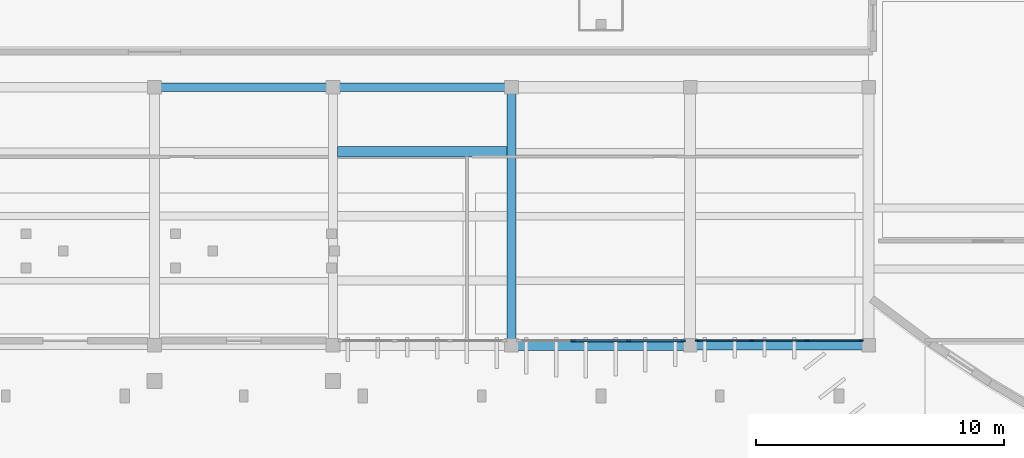
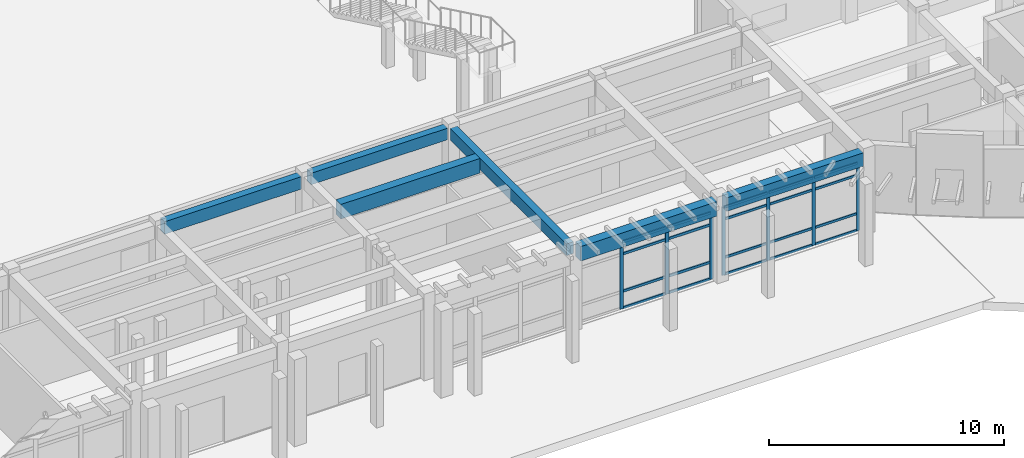
# One storey, part 13 of 58: 27 members, 6 beams, 2 elements without a shape of their own.
"""IFC4 building model written with IfcOpenShell, lengths in metres."""

from ifc_helpers import new_model, si_unit, direction, frame, origin, origin_2d, place, context, subcontext, project, spatial, rectangle, extrude, material, layer, layer_set, material_profile, profile_set, type_object, element, aggregate, save


model = new_model("IFC4")

# Units and contexts
model_context = context("Model", 3, precision=1e-05, world=origin(), true_north=direction((0.0, 1.0)))
body_context = subcontext(model_context, "Body", "Model", "MODEL_VIEW")
ifc_project = project(units=[si_unit("LENGTHUNIT", "METRE"), si_unit("AREAUNIT", "SQUARE_METRE"), si_unit("VOLUMEUNIT", "CUBIC_METRE"), si_unit("PLANEANGLEUNIT", "RADIAN"), si_unit("MASSUNIT", "GRAM", prefix="KILO")], contexts=[model_context])

# Site, building, storey
site_placement = place(None, origin())
site = spatial("IfcSite", under=ifc_project, at=site_placement, CompositionType="ELEMENT")
building_placement = place(site_placement, origin())
building = spatial("IfcBuilding", under=site, at=building_placement, Name="Brisavento Harbour Community Centre", CompositionType="ELEMENT")
storey_placement = place(building_placement, origin())
storey = spatial("IfcBuildingStorey", under=building, at=storey_placement, Name="L00", CompositionType="ELEMENT", Elevation=0.0)

# Beams
ifc_material_1 = material(Name="Concrete C35/45", Category="concrete")
ifc_material_profile_1 = material_profile(ifc_material_1, rectangle(XDim=0.419921875, YDim=0.760009765625, at=origin_2d()), Name="Concrete C35/45")
ifc_profile_set_1 = profile_set([ifc_material_profile_1], Name="Concrete C35/45")
beam_type_1 = type_object("IfcBeamType", Name="BM-JST-420x760", PredefinedType="JOIST", material=ifc_profile_set_1)
beam_1_placement = place(storey_placement, frame((86.574951171875, 22.199951171875, 3.860107421875), z_axis=(1.0, 0.0, 0.0), x_axis=(0.0, 1.0, 0.0)))
element("IfcBeam", 1, at=beam_1_placement, inside=storey, type_object=beam_type_1, Name="L00 secondary floor joist 0175", PredefinedType="JOIST", context=body_context, shape_type="SweptSolid", body=[
    extrude(rectangle(XDim=0.419921875, YDim=0.760009765625, at=origin_2d()), origin(), (0.0, 0.0, 1.0), 6.85009765625),
])
ifc_material_profile_2 = material_profile(ifc_material_1, rectangle(XDim=0.35009765625, YDim=0.60009765625, at=origin_2d()), Name="Concrete C35/45")
ifc_profile_set_2 = profile_set([ifc_material_profile_2], Name="Concrete C35/45")
beam_type_2 = type_object("IfcBeamType", Name="BM-RC-350x600", PredefinedType="BEAM", material=ifc_profile_set_2)
beam_2_placement = place(storey_placement, frame((86.64501953125, 24.800048828125, 3.93994140625), z_axis=(1.0, 0.0, 0.0), x_axis=(0.0, 1.0, 0.0)))
element("IfcBeam", 2, at=beam_2_placement, inside=storey, type_object=beam_type_2, Name="L00 primary girder X0264", PredefinedType="BEAM", context=body_context, shape_type="SweptSolid", body=[
    extrude(rectangle(XDim=0.35009765625, YDim=0.60009765625, at=origin_2d()), origin(), (0.0, 0.0, 1.0), 6.7099609375),
])
beam_3_placement = place(storey_placement, frame((93.60009765625, 14.64501953125, 3.93994140625), z_axis=(0.0, 1.0, 0.0), x_axis=(-1.0, 0.0, 0.0)))
element("IfcBeam", 3, at=beam_3_placement, inside=storey, type_object=beam_type_2, Name="L00 primary girder Y0359", PredefinedType="BEAM", context=body_context, shape_type="SweptSolid", body=[
    extrude(rectangle(XDim=0.35009765625, YDim=0.60009765625, at=origin_2d()), origin(), (0.0, 0.0, 1.0), 9.909912109375),
])
ifc_material_profile_3 = material_profile(ifc_material_1, rectangle(XDim=0.35009765625, YDim=0.64990234375, at=origin_2d()), Name="Concrete C35/45")
ifc_profile_set_3 = profile_set([ifc_material_profile_3], Name="Concrete C35/45")
beam_type_3 = type_object("IfcBeamType", Name="BM-RC-350x650", PredefinedType="BEAM", material=ifc_profile_set_3)
beam_4_placement = place(storey_placement, frame((79.445068359375, 24.800048828125, 3.9150390625), z_axis=(1.0, 0.0, 0.0), x_axis=(0.0, 1.0, 0.0)))
element("IfcBeam", 4, at=beam_4_placement, inside=storey, type_object=beam_type_3, Name="L00 primary girder X0263", PredefinedType="BEAM", context=body_context, shape_type="SweptSolid", body=[
    extrude(rectangle(XDim=0.35009765625, YDim=0.64990234375, at=origin_2d()), origin(), (0.0, 0.0, 1.0), 6.7099609375),
])
ifc_material_profile_4 = material_profile(ifc_material_1, rectangle(XDim=0.39990234375, YDim=0.699951171875, at=origin_2d()), Name="Concrete C35/45")
ifc_profile_set_4 = profile_set([ifc_material_profile_4], Name="Concrete C35/45")
beam_type_4 = type_object("IfcBeamType", Name="BM-RC-400x700", PredefinedType="BEAM", material=ifc_profile_set_4)
beam_5_placement = place(storey_placement, frame((101.044921875, 14.39990234375, 3.889892578125), z_axis=(1.0, 0.0, 0.0), x_axis=(0.0, 1.0, 0.0)))
element("IfcBeam", 5, at=beam_5_placement, inside=storey, type_object=beam_type_4, Name="L00 primary girder X0242", PredefinedType="BEAM", context=body_context, shape_type="SweptSolid", body=[
    extrude(rectangle(XDim=0.39990234375, YDim=0.699951171875, at=origin_2d()), origin(), (0.0, 0.0, 1.0), 6.7099609375),
])
ifc_material_profile_5 = material_profile(ifc_material_1, rectangle(XDim=0.449951171875, YDim=0.75, at=origin_2d()), Name="Concrete C35/45")
ifc_profile_set_5 = profile_set([ifc_material_profile_5], Name="Concrete C35/45")
beam_type_5 = type_object("IfcBeamType", Name="BM-RC-450x750", PredefinedType="BEAM", material=ifc_profile_set_5)
beam_6_placement = place(storey_placement, frame((93.844970703125, 14.39990234375, 3.864990234375), z_axis=(1.0, 0.0, 0.0), x_axis=(0.0, 1.0, 0.0)))
element("IfcBeam", 6, at=beam_6_placement, inside=storey, type_object=beam_type_5, Name="L00 primary girder X0241", PredefinedType="BEAM", context=body_context, shape_type="SweptSolid", body=[
    extrude(rectangle(XDim=0.449951171875, YDim=0.75, at=origin_2d()), origin(), (0.0, 0.0, 1.0), 6.7099609375),
])

# Curtain wall, members
ifc_material_2 = material(Name="Marine-anodised aluminium AW-6063-T6", Category="aluminium")
ifc_layer_1 = layer(ifc_material_2, 0.179931640625, Name="Marine-anodised aluminium AW-6063-T6")
ifc_layer_set_1 = layer_set([ifc_layer_1], Name="Marine-anodised aluminium AW-6063-T6")
curtain_wall_type_1 = type_object("IfcCurtainWallType", Name="CW-SYS-01", PredefinedType="USERDEFINED", material=ifc_layer_set_1)
curtain_wall_1_placement = place(storey_placement, origin())
curtain_wall_1 = element("IfcCurtainWall", 7, at=curtain_wall_1_placement, inside=storey, type_object=curtain_wall_type_1, Name="L00 V2 unitised curtain wall 001", ObjectType="UNITISED CURTAIN WALL", PredefinedType="USERDEFINED")
ifc_material_profile_6 = material_profile(ifc_material_2, rectangle(XDim=0.06494140625, YDim=0.1650390625, at=origin_2d()), Name="Marine-anodised aluminium AW-6063-T6")
ifc_profile_set_6 = profile_set([ifc_material_profile_6], Name="Marine-anodised aluminium AW-6063-T6")
member_type_1 = type_object("IfcMemberType", Name="CWM-01", PredefinedType="MULLION", material=ifc_profile_set_6)
member_1_placement = place(storey_placement, frame((107.70751953125, 14.580078125, 0.0), z_axis=(0.0, 0.0, 1.0), x_axis=(0.0, -1.0, 0.0)))
member_1 = element("IfcMember", 8, at=member_1_placement, type_object=member_type_1, Name="CW-01 mullion 1", PredefinedType="MULLION", context=body_context, shape_type="SweptSolid", body=[
    extrude(rectangle(XDim=0.06494140625, YDim=0.1650390625, at=origin_2d()), origin(), (0.0, 0.0, 1.0), 3.5400390625),
])
member_2_placement = place(storey_placement, frame((105.513427734375, 14.580078125, 0.0), z_axis=(0.0, 0.0, 1.0), x_axis=(0.0, -1.0, 0.0)))
member_2 = element("IfcMember", 9, at=member_2_placement, type_object=member_type_1, Name="CW-01 mullion 2", PredefinedType="MULLION", context=body_context, shape_type="SweptSolid", body=[
    extrude(rectangle(XDim=0.06494140625, YDim=0.1650390625, at=origin_2d()), origin(), (0.0, 0.0, 1.0), 3.5400390625),
])
member_3_placement = place(storey_placement, frame((103.28662109375, 14.580078125, 0.0), z_axis=(0.0, 0.0, 1.0), x_axis=(0.0, -1.0, 0.0)))
member_3 = element("IfcMember", 10, at=member_3_placement, type_object=member_type_1, Name="CW-01 mullion 3", PredefinedType="MULLION", context=body_context, shape_type="SweptSolid", body=[
    extrude(rectangle(XDim=0.06494140625, YDim=0.1650390625, at=origin_2d()), origin(), (0.0, 0.0, 1.0), 3.5400390625),
])
member_4_placement = place(storey_placement, frame((101.092529296875, 14.580078125, 0.0), z_axis=(0.0, 0.0, 1.0), x_axis=(0.0, -1.0, 0.0)))
member_4 = element("IfcMember", 11, at=member_4_placement, type_object=member_type_1, Name="CW-01 mullion 4", PredefinedType="MULLION", context=body_context, shape_type="SweptSolid", body=[
    extrude(rectangle(XDim=0.06494140625, YDim=0.1650390625, at=origin_2d()), origin(), (0.0, 0.0, 1.0), 3.5400390625),
])

ifc_layer_2 = layer(ifc_material_2, 0.179931640625, Name="Marine-anodised aluminium AW-6063-T6")
ifc_layer_set_2 = layer_set([ifc_layer_2], Name="Marine-anodised aluminium AW-6063-T6")
curtain_wall_type_2 = type_object("IfcCurtainWallType", Name="CW-SYS-02", PredefinedType="USERDEFINED", material=ifc_layer_set_2)
curtain_wall_2_placement = place(storey_placement, origin())
curtain_wall_2 = element("IfcCurtainWall", 12, at=curtain_wall_2_placement, inside=storey, type_object=curtain_wall_type_2, Name="L00 V2 unitised curtain wall 002", ObjectType="UNITISED CURTAIN WALL", PredefinedType="USERDEFINED")
ifc_material_profile_7 = material_profile(ifc_material_2, rectangle(XDim=0.070068359375, YDim=0.179931640625, at=origin_2d()), Name="Marine-anodised aluminium AW-6063-T6")
ifc_profile_set_7 = profile_set([ifc_material_profile_7], Name="Marine-anodised aluminium AW-6063-T6")
member_type_2 = type_object("IfcMemberType", Name="CWM-02", PredefinedType="MULLION", material=ifc_profile_set_7)
member_5_placement = place(storey_placement, frame((100.5048828125, 14.580078125, 0.0), z_axis=(0.0, 0.0, 1.0), x_axis=(0.0, -1.0, 0.0)))
member_5 = element("IfcMember", 13, at=member_5_placement, type_object=member_type_2, Name="CW-02 mullion 1", PredefinedType="MULLION", context=body_context, shape_type="SweptSolid", body=[
    extrude(rectangle(XDim=0.070068359375, YDim=0.179931640625, at=origin_2d()), origin(), (0.0, 0.0, 1.0), 3.489990234375),
])
member_6_placement = place(storey_placement, frame((98.313232421875, 14.580078125, 0.0), z_axis=(0.0, 0.0, 1.0), x_axis=(0.0, -1.0, 0.0)))
member_6 = element("IfcMember", 14, at=member_6_placement, type_object=member_type_2, Name="CW-02 mullion 2", PredefinedType="MULLION", context=body_context, shape_type="SweptSolid", body=[
    extrude(rectangle(XDim=0.070068359375, YDim=0.179931640625, at=origin_2d()), origin(), (0.0, 0.0, 1.0), 3.489990234375),
])
member_7_placement = place(storey_placement, frame((96.086669921875, 14.580078125, 0.0), z_axis=(0.0, 0.0, 1.0), x_axis=(0.0, -1.0, 0.0)))
member_7 = element("IfcMember", 15, at=member_7_placement, type_object=member_type_2, Name="CW-02 mullion 3", PredefinedType="MULLION", context=body_context, shape_type="SweptSolid", body=[
    extrude(rectangle(XDim=0.070068359375, YDim=0.179931640625, at=origin_2d()), origin(), (0.0, 0.0, 1.0), 3.489990234375),
])

# Member
ifc_material_profile_8 = material_profile(ifc_material_2, rectangle(XDim=0.06494140625, YDim=0.125, at=origin_2d()), Name="Marine-anodised aluminium AW-6063-T6")
ifc_profile_set_8 = profile_set([ifc_material_profile_8], Name="Marine-anodised aluminium AW-6063-T6")
member_type_3 = type_object("IfcMemberType", Name="CWT-01", PredefinedType="USERDEFINED", material=ifc_profile_set_8)
member_8_placement = place(storey_placement, frame((107.675048828125, 14.580078125, 0.032470703125), z_axis=(-1.0, 0.0, 0.0), x_axis=(0.0, -1.0, 0.0)))
member_8 = element("IfcMember", 16, at=member_8_placement, type_object=member_type_3, Name="CW-01 transom 1.1", ObjectType="TRANSOM", PredefinedType="USERDEFINED", context=body_context, shape_type="SweptSolid", body=[
    extrude(rectangle(XDim=0.06494140625, YDim=0.125, at=origin_2d()), origin(), (0.0, 0.0, 1.0), 2.129150390625),
])

member_9_placement = place(storey_placement, frame((107.675048828125, 14.580078125, 0.89990234375), z_axis=(-1.0, 0.0, 0.0), x_axis=(0.0, -1.0, 0.0)))
member_9 = element("IfcMember", 17, at=member_9_placement, type_object=member_type_3, Name="CW-01 transom 1.2", ObjectType="TRANSOM", PredefinedType="USERDEFINED", context=body_context, shape_type="SweptSolid", body=[
    extrude(rectangle(XDim=0.06494140625, YDim=0.125, at=origin_2d()), origin(), (0.0, 0.0, 1.0), 2.129150390625),
])

member_10_placement = place(storey_placement, frame((107.675048828125, 14.580078125, 2.889892578125), z_axis=(-1.0, 0.0, 0.0), x_axis=(0.0, -1.0, 0.0)))
member_10 = element("IfcMember", 18, at=member_10_placement, type_object=member_type_3, Name="CW-01 transom 1.3", ObjectType="TRANSOM", PredefinedType="USERDEFINED", context=body_context, shape_type="SweptSolid", body=[
    extrude(rectangle(XDim=0.06494140625, YDim=0.125, at=origin_2d()), origin(), (0.0, 0.0, 1.0), 2.129150390625),
])

member_11_placement = place(storey_placement, frame((107.675048828125, 14.580078125, 3.507568359375), z_axis=(-1.0, 0.0, 0.0), x_axis=(0.0, -1.0, 0.0)))
member_11 = element("IfcMember", 19, at=member_11_placement, type_object=member_type_3, Name="CW-01 transom 1.4", ObjectType="TRANSOM", PredefinedType="USERDEFINED", context=body_context, shape_type="SweptSolid", body=[
    extrude(rectangle(XDim=0.06494140625, YDim=0.125, at=origin_2d()), origin(), (0.0, 0.0, 1.0), 2.129150390625),
])

member_12_placement = place(storey_placement, frame((105.480712890625, 14.580078125, 0.032470703125), z_axis=(-1.0, 0.0, 0.0), x_axis=(0.0, -1.0, 0.0)))
member_12 = element("IfcMember", 20, at=member_12_placement, type_object=member_type_3, Name="CW-01 transom 2.1", ObjectType="TRANSOM", PredefinedType="USERDEFINED", context=body_context, shape_type="SweptSolid", body=[
    extrude(rectangle(XDim=0.06494140625, YDim=0.125, at=origin_2d()), origin(), (0.0, 0.0, 1.0), 2.16162109375),
])

member_13_placement = place(storey_placement, frame((105.480712890625, 14.580078125, 0.89990234375), z_axis=(-1.0, 0.0, 0.0), x_axis=(0.0, -1.0, 0.0)))
member_13 = element("IfcMember", 21, at=member_13_placement, type_object=member_type_3, Name="CW-01 transom 2.2", ObjectType="TRANSOM", PredefinedType="USERDEFINED", context=body_context, shape_type="SweptSolid", body=[
    extrude(rectangle(XDim=0.06494140625, YDim=0.125, at=origin_2d()), origin(), (0.0, 0.0, 1.0), 2.16162109375),
])

member_14_placement = place(storey_placement, frame((105.480712890625, 14.580078125, 2.889892578125), z_axis=(-1.0, 0.0, 0.0), x_axis=(0.0, -1.0, 0.0)))
member_14 = element("IfcMember", 22, at=member_14_placement, type_object=member_type_3, Name="CW-01 transom 2.3", ObjectType="TRANSOM", PredefinedType="USERDEFINED", context=body_context, shape_type="SweptSolid", body=[
    extrude(rectangle(XDim=0.06494140625, YDim=0.125, at=origin_2d()), origin(), (0.0, 0.0, 1.0), 2.16162109375),
])

member_15_placement = place(storey_placement, frame((105.480712890625, 14.580078125, 3.507568359375), z_axis=(-1.0, 0.0, 0.0), x_axis=(0.0, -1.0, 0.0)))
member_15 = element("IfcMember", 23, at=member_15_placement, type_object=member_type_3, Name="CW-01 transom 2.4", ObjectType="TRANSOM", PredefinedType="USERDEFINED", context=body_context, shape_type="SweptSolid", body=[
    extrude(rectangle(XDim=0.06494140625, YDim=0.125, at=origin_2d()), origin(), (0.0, 0.0, 1.0), 2.16162109375),
])

member_16_placement = place(storey_placement, frame((103.254150390625, 14.580078125, 0.032470703125), z_axis=(-1.0, 0.0, 0.0), x_axis=(0.0, -1.0, 0.0)))
member_16 = element("IfcMember", 24, at=member_16_placement, type_object=member_type_3, Name="CW-01 transom 3.1", ObjectType="TRANSOM", PredefinedType="USERDEFINED", context=body_context, shape_type="SweptSolid", body=[
    extrude(rectangle(XDim=0.06494140625, YDim=0.125, at=origin_2d()), origin(), (0.0, 0.0, 1.0), 2.129150390625),
])

member_17_placement = place(storey_placement, frame((103.254150390625, 14.580078125, 0.89990234375), z_axis=(-1.0, 0.0, 0.0), x_axis=(0.0, -1.0, 0.0)))
member_17 = element("IfcMember", 25, at=member_17_placement, type_object=member_type_3, Name="CW-01 transom 3.2", ObjectType="TRANSOM", PredefinedType="USERDEFINED", context=body_context, shape_type="SweptSolid", body=[
    extrude(rectangle(XDim=0.06494140625, YDim=0.125, at=origin_2d()), origin(), (0.0, 0.0, 1.0), 2.129150390625),
])

member_18_placement = place(storey_placement, frame((103.254150390625, 14.580078125, 2.889892578125), z_axis=(-1.0, 0.0, 0.0), x_axis=(0.0, -1.0, 0.0)))
member_18 = element("IfcMember", 26, at=member_18_placement, type_object=member_type_3, Name="CW-01 transom 3.3", ObjectType="TRANSOM", PredefinedType="USERDEFINED", context=body_context, shape_type="SweptSolid", body=[
    extrude(rectangle(XDim=0.06494140625, YDim=0.125, at=origin_2d()), origin(), (0.0, 0.0, 1.0), 2.129150390625),
])

member_19_placement = place(storey_placement, frame((103.254150390625, 14.580078125, 3.507568359375), z_axis=(-1.0, 0.0, 0.0), x_axis=(0.0, -1.0, 0.0)))
member_19 = element("IfcMember", 27, at=member_19_placement, type_object=member_type_3, Name="CW-01 transom 3.4", ObjectType="TRANSOM", PredefinedType="USERDEFINED", context=body_context, shape_type="SweptSolid", body=[
    extrude(rectangle(XDim=0.06494140625, YDim=0.125, at=origin_2d()), origin(), (0.0, 0.0, 1.0), 2.129150390625),
])

aggregate(curtain_wall_1, [member_1, member_2, member_3, member_4, member_8, member_9, member_10, member_11, member_12, member_13, member_14, member_15, member_16, member_17, member_18, member_19])

ifc_material_profile_9 = material_profile(ifc_material_2, rectangle(XDim=0.070068359375, YDim=0.132080078125, at=origin_2d()), Name="Marine-anodised aluminium AW-6063-T6")
ifc_profile_set_9 = profile_set([ifc_material_profile_9], Name="Marine-anodised aluminium AW-6063-T6")
member_type_4 = type_object("IfcMemberType", Name="CWT-02", PredefinedType="USERDEFINED", material=ifc_profile_set_9)
member_20_placement = place(storey_placement, frame((100.469970703125, 14.580078125, 0.034912109375), z_axis=(-1.0, 0.0, 0.0), x_axis=(0.0, -1.0, 0.0)))
member_20 = element("IfcMember", 28, at=member_20_placement, type_object=member_type_4, Name="CW-02 transom 1.1", ObjectType="TRANSOM", PredefinedType="USERDEFINED", context=body_context, shape_type="SweptSolid", body=[
    extrude(rectangle(XDim=0.070068359375, YDim=0.132080078125, at=origin_2d()), origin(), (0.0, 0.0, 1.0), 2.12158203125),
])

member_21_placement = place(storey_placement, frame((100.469970703125, 14.580078125, 0.89990234375), z_axis=(-1.0, 0.0, 0.0), x_axis=(0.0, -1.0, 0.0)))
member_21 = element("IfcMember", 29, at=member_21_placement, type_object=member_type_4, Name="CW-02 transom 1.2", ObjectType="TRANSOM", PredefinedType="USERDEFINED", context=body_context, shape_type="SweptSolid", body=[
    extrude(rectangle(XDim=0.070068359375, YDim=0.132080078125, at=origin_2d()), origin(), (0.0, 0.0, 1.0), 2.12158203125),
])

member_22_placement = place(storey_placement, frame((100.469970703125, 14.580078125, 2.840087890625), z_axis=(-1.0, 0.0, 0.0), x_axis=(0.0, -1.0, 0.0)))
member_22 = element("IfcMember", 30, at=member_22_placement, type_object=member_type_4, Name="CW-02 transom 1.3", ObjectType="TRANSOM", PredefinedType="USERDEFINED", context=body_context, shape_type="SweptSolid", body=[
    extrude(rectangle(XDim=0.070068359375, YDim=0.132080078125, at=origin_2d()), origin(), (0.0, 0.0, 1.0), 2.12158203125),
])

member_23_placement = place(storey_placement, frame((100.469970703125, 14.580078125, 3.455078125), z_axis=(-1.0, 0.0, 0.0), x_axis=(0.0, -1.0, 0.0)))
member_23 = element("IfcMember", 31, at=member_23_placement, type_object=member_type_4, Name="CW-02 transom 1.4", ObjectType="TRANSOM", PredefinedType="USERDEFINED", context=body_context, shape_type="SweptSolid", body=[
    extrude(rectangle(XDim=0.070068359375, YDim=0.132080078125, at=origin_2d()), origin(), (0.0, 0.0, 1.0), 2.12158203125),
])

member_24_placement = place(storey_placement, frame((98.2783203125, 14.580078125, 0.034912109375), z_axis=(-1.0, 0.0, 0.0), x_axis=(0.0, -1.0, 0.0)))
member_24 = element("IfcMember", 32, at=member_24_placement, type_object=member_type_4, Name="CW-02 transom 2.1", ObjectType="TRANSOM", PredefinedType="USERDEFINED", context=body_context, shape_type="SweptSolid", body=[
    extrude(rectangle(XDim=0.070068359375, YDim=0.132080078125, at=origin_2d()), origin(), (0.0, 0.0, 1.0), 2.15673828125),
])

member_25_placement = place(storey_placement, frame((98.2783203125, 14.580078125, 0.89990234375), z_axis=(-1.0, 0.0, 0.0), x_axis=(0.0, -1.0, 0.0)))
member_25 = element("IfcMember", 33, at=member_25_placement, type_object=member_type_4, Name="CW-02 transom 2.2", ObjectType="TRANSOM", PredefinedType="USERDEFINED", context=body_context, shape_type="SweptSolid", body=[
    extrude(rectangle(XDim=0.070068359375, YDim=0.132080078125, at=origin_2d()), origin(), (0.0, 0.0, 1.0), 2.15673828125),
])

member_26_placement = place(storey_placement, frame((98.2783203125, 14.580078125, 2.840087890625), z_axis=(-1.0, 0.0, 0.0), x_axis=(0.0, -1.0, 0.0)))
member_26 = element("IfcMember", 34, at=member_26_placement, type_object=member_type_4, Name="CW-02 transom 2.3", ObjectType="TRANSOM", PredefinedType="USERDEFINED", context=body_context, shape_type="SweptSolid", body=[
    extrude(rectangle(XDim=0.070068359375, YDim=0.132080078125, at=origin_2d()), origin(), (0.0, 0.0, 1.0), 2.15673828125),
])

member_27_placement = place(storey_placement, frame((98.2783203125, 14.580078125, 3.455078125), z_axis=(-1.0, 0.0, 0.0), x_axis=(0.0, -1.0, 0.0)))
member_27 = element("IfcMember", 35, at=member_27_placement, type_object=member_type_4, Name="CW-02 transom 2.4", ObjectType="TRANSOM", PredefinedType="USERDEFINED", context=body_context, shape_type="SweptSolid", body=[
    extrude(rectangle(XDim=0.070068359375, YDim=0.132080078125, at=origin_2d()), origin(), (0.0, 0.0, 1.0), 2.15673828125),
])

aggregate(curtain_wall_2, [member_5, member_6, member_7, member_20, member_21, member_22, member_23, member_24, member_25, member_26, member_27])

save(model, "model.ifc")
